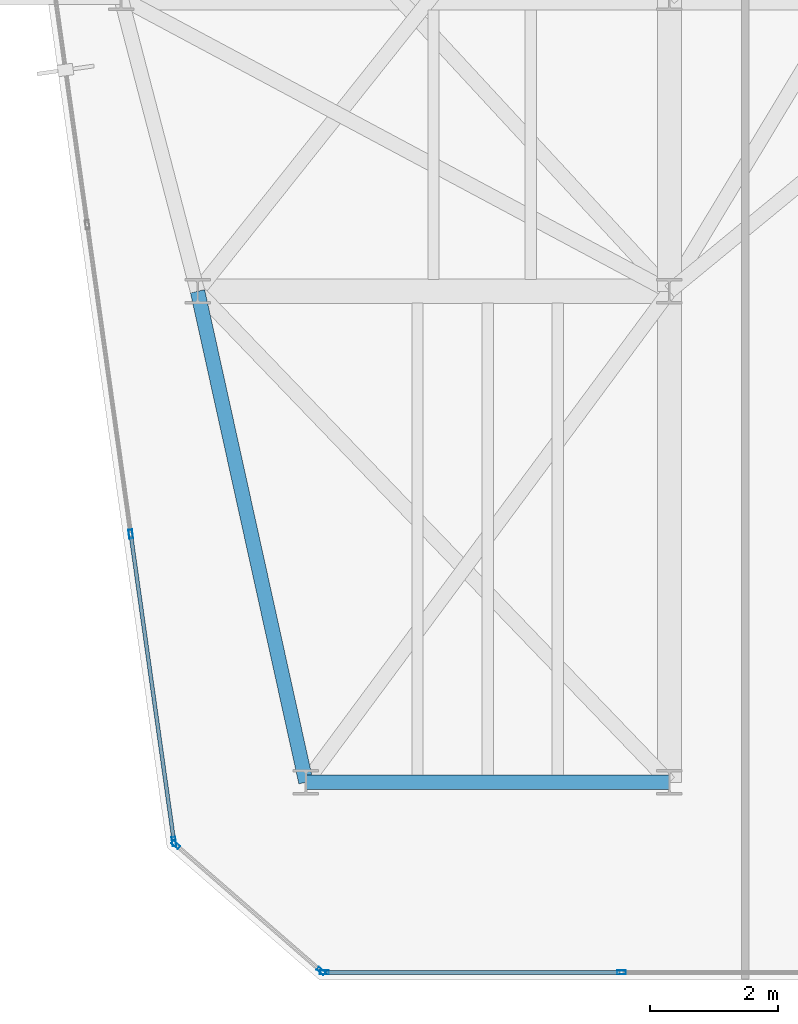
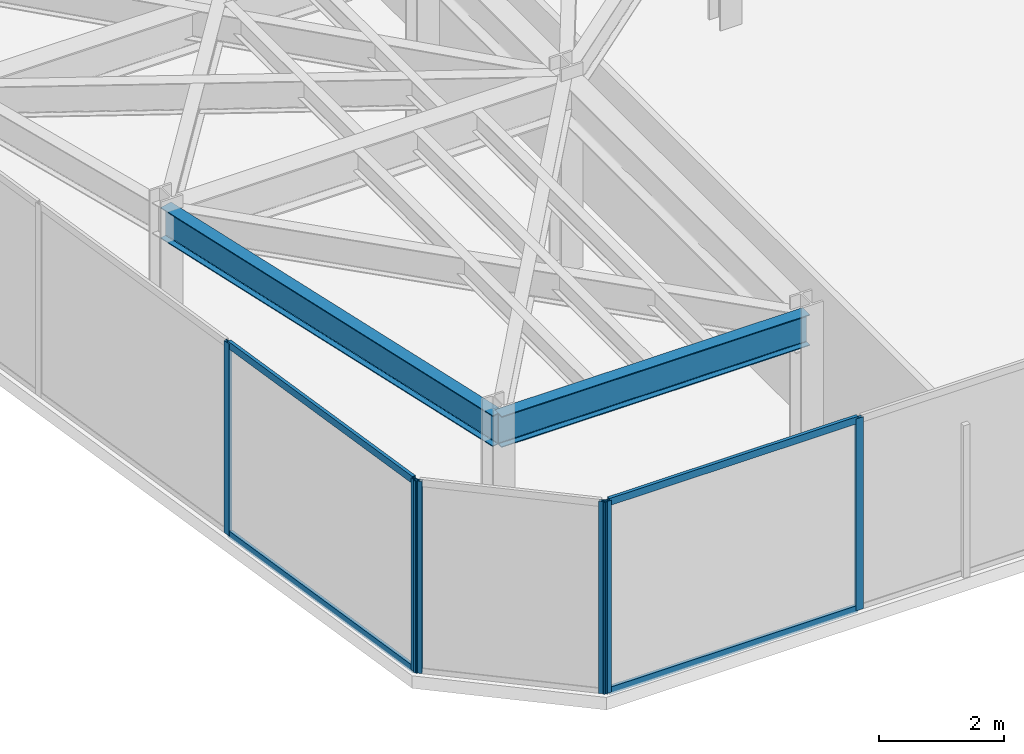
# One storey, part 2 of 27: 10 members, 2 beams, 3 elements without a shape of their own.
"""IFC4 building model written with IfcOpenShell, lengths in metres."""

from ifc_helpers import new_model, si_unit, direction, frame, origin, origin_2d, place, context, subcontext, project, spatial, hollow_rectangle, i_section, extrude, material, layer, layer_set, material_profile, profile_set, type_object, element, aggregate, save


model = new_model("IFC4")

# Units and contexts
model_context = context("Model", 3, precision=1e-05, world=origin(), true_north=direction((0.0, 1.0)))
body_context = subcontext(model_context, "Body", "Model", "MODEL_VIEW")
ifc_project = project(units=[si_unit("LENGTHUNIT", "METRE"), si_unit("AREAUNIT", "SQUARE_METRE"), si_unit("VOLUMEUNIT", "CUBIC_METRE"), si_unit("PLANEANGLEUNIT", "RADIAN"), si_unit("MASSUNIT", "GRAM", prefix="KILO")], contexts=[model_context])

# Site, building, storey
site_placement = place(None, origin())
site = spatial("IfcSite", under=ifc_project, at=site_placement, CompositionType="ELEMENT")
building_placement = place(site_placement, origin())
building = spatial("IfcBuilding", under=site, at=building_placement, Name="Kravanh Interchange Tower", CompositionType="ELEMENT")
storey_placement = place(building_placement, frame((0.0, 0.0, 196.5)))
storey = spatial("IfcBuildingStorey", under=building, at=storey_placement, Name="L47", CompositionType="ELEMENT", Elevation=196.5)

# Curtain wall, members
ifc_material_1 = material(Name="Anodised Bronze Aluminium", Category="aluminium")
ifc_layer = layer(ifc_material_1, 0.179931640625)
ifc_layer_set = layer_set([ifc_layer], Name="Unitised Curtain Wall System CW-Z3 Upper Office")
curtain_wall_type = type_object("IfcCurtainWallType", Name="Unitised Curtain Wall System CW-Z3 Upper Office", PredefinedType="NOTDEFINED", material=ifc_layer_set)
curtain_wall_1_placement = place(storey_placement, origin())
curtain_wall_1 = element("IfcCurtainWall", 1, at=curtain_wall_1_placement, inside=storey, type_object=curtain_wall_type, Name="L47 Unitised Curtain Wall CW-L47-01", PredefinedType="NOTDEFINED")
ifc_material_2 = material(Name="Anodised Bronze Aluminium", Category="aluminium")
ifc_material_profile_1 = material_profile(ifc_material_2, hollow_rectangle(XDim=0.06005859375, YDim=0.139892578125, WallThickness=0.00390625, at=origin_2d()), Name="ALU60X140X4")
ifc_profile_set_1 = profile_set([ifc_material_profile_1], Name="Anodised Bronze Aluminium")
member_type_1 = type_object("IfcMemberType", Name="Curtain Wall Mullion ALU60X140X4 Bronze", PredefinedType="MULLION", material=ifc_profile_set_1)
member_1_placement = place(storey_placement, frame((19.43017578125, 13.5703125, 0.0), z_axis=(0.0, 0.0, 1.0), x_axis=(-0.990268194035, -0.139172209446, 0.0)))
member_1 = element("IfcMember", 2, at=member_1_placement, type_object=member_type_1, Name="CW-Z3 mullion 1", PredefinedType="MULLION", context=body_context, shape_type="SweptSolid", body=[
    extrude(hollow_rectangle(XDim=0.06005859375, YDim=0.139892578125, WallThickness=0.00390625, at=origin_2d()), origin(), (0.0, 0.0, 1.0), 3.7548828125),
])
member_2_placement = place(storey_placement, frame((18.75244140625, 18.392578125, 0.0), z_axis=(0.0, 0.0, 1.0), x_axis=(-0.990268194035, -0.139172209446, 0.0)))
member_2 = element("IfcMember", 3, at=member_2_placement, type_object=member_type_1, Name="CW-Z3 mullion 2", PredefinedType="MULLION", context=body_context, shape_type="SweptSolid", body=[
    extrude(hollow_rectangle(XDim=0.06005859375, YDim=0.139892578125, WallThickness=0.00390625, at=origin_2d()), origin(), (0.0, 0.0, 1.0), 3.7548828125),
])

curtain_wall_2_placement = place(storey_placement, origin())
curtain_wall_2 = element("IfcCurtainWall", 4, at=curtain_wall_2_placement, inside=storey, type_object=curtain_wall_type, Name="L47 Unitised Curtain Wall CW-L47-06", PredefinedType="NOTDEFINED")
member_3_placement = place(storey_placement, frame((26.447998046875, 11.52001953125, 0.0), z_axis=(0.0, 0.0, 1.0), x_axis=(0.0, -1.0, 0.0)))
member_3 = element("IfcMember", 5, at=member_3_placement, type_object=member_type_1, Name="CW-Z3 mullion 2", PredefinedType="MULLION", context=body_context, shape_type="SweptSolid", body=[
    extrude(hollow_rectangle(XDim=0.06005859375, YDim=0.139892578125, WallThickness=0.00390625, at=origin_2d()), origin(), (0.0, 0.0, 1.0), 3.7548828125),
])
member_4_placement = place(storey_placement, frame((21.7890625, 11.52001953125, 0.0), z_axis=(0.0, 0.0, 1.0), x_axis=(0.0, -1.0, 0.0)))
member_4 = element("IfcMember", 6, at=member_4_placement, type_object=member_type_1, Name="CW-Z3 mullion 3", PredefinedType="MULLION", context=body_context, shape_type="SweptSolid", body=[
    extrude(hollow_rectangle(XDim=0.06005859375, YDim=0.139892578125, WallThickness=0.00390625, at=origin_2d()), origin(), (0.0, 0.0, 1.0), 3.7548828125),
])

curtain_wall_3_placement = place(storey_placement, origin())
curtain_wall_3 = element("IfcCurtainWall", 7, at=curtain_wall_3_placement, inside=storey, type_object=curtain_wall_type, Name="L47 Unitised Curtain Wall CW-L47-07", PredefinedType="NOTDEFINED")
member_5_placement = place(storey_placement, frame((21.736328125, 11.539794921875, 0.0), z_axis=(0.0, 0.0, 1.0), x_axis=(-0.65605090137, -0.754716645379, 0.0)))
member_5 = element("IfcMember", 8, at=member_5_placement, type_object=member_type_1, Name="CW-Z3 mullion 1", PredefinedType="MULLION", context=body_context, shape_type="SweptSolid", body=[
    extrude(hollow_rectangle(XDim=0.06005859375, YDim=0.139892578125, WallThickness=0.00390625, at=origin_2d()), origin(), (0.0, 0.0, 1.0), 3.7548828125),
])
member_6_placement = place(storey_placement, frame((19.45703125, 13.52099609375, 0.0), z_axis=(0.0, 0.0, 1.0), x_axis=(-0.65605090137, -0.754716645379, 0.0)))
member_6 = element("IfcMember", 9, at=member_6_placement, type_object=member_type_1, Name="CW-Z3 mullion 2", PredefinedType="MULLION", context=body_context, shape_type="SweptSolid", body=[
    extrude(hollow_rectangle(XDim=0.06005859375, YDim=0.139892578125, WallThickness=0.00390625, at=origin_2d()), origin(), (0.0, 0.0, 1.0), 3.7548828125),
])
aggregate(curtain_wall_3, [member_5, member_6])

# Member
ifc_material_3 = material(Name="Anodised Bronze Aluminium", Category="aluminium")
ifc_material_profile_2 = material_profile(ifc_material_3, hollow_rectangle(XDim=0.06005859375, YDim=0.139892578125, WallThickness=0.00390625, at=origin_2d()), Name="ALU60X140X4")
ifc_profile_set_2 = profile_set([ifc_material_profile_2], Name="Anodised Bronze Aluminium")
member_type_2 = type_object("IfcMemberType", Name="Curtain Wall Transom ALU60X140X4 Bronze", PredefinedType="USERDEFINED", material=ifc_profile_set_2)
member_7_placement = place(storey_placement, frame((19.426025390625, 13.60009765625, 0.030029296875), z_axis=(-0.139189497915, 0.990265764161, 0.0), x_axis=(-0.990265764161, -0.139189497915, 0.0)))
member_7 = element("IfcMember", 10, at=member_7_placement, type_object=member_type_2, Name="CW-Z3 transom 1.1", ObjectType="TRANSOM", PredefinedType="USERDEFINED", context=body_context, shape_type="SweptSolid", body=[
    extrude(hollow_rectangle(XDim=0.06005859375, YDim=0.139892578125, WallThickness=0.00390625, at=origin_2d()), origin(), (0.0, 0.0, 1.0), 4.8095703125),
])

member_8_placement = place(storey_placement, frame((19.426025390625, 13.60009765625, 3.72509765625), z_axis=(-0.139189497915, 0.990265764161, 0.0), x_axis=(-0.990265764161, -0.139189497915, 0.0)))
member_8 = element("IfcMember", 11, at=member_8_placement, type_object=member_type_2, Name="CW-Z3 transom 1.2", ObjectType="TRANSOM", PredefinedType="USERDEFINED", context=body_context, shape_type="SweptSolid", body=[
    extrude(hollow_rectangle(XDim=0.06005859375, YDim=0.139892578125, WallThickness=0.00390625, at=origin_2d()), origin(), (0.0, 0.0, 1.0), 4.8095703125),
])

aggregate(curtain_wall_1, [member_1, member_2, member_7, member_8])

member_9_placement = place(storey_placement, frame((26.41796875, 11.52001953125, 0.030029296875), z_axis=(-1.0, 0.0, 0.0), x_axis=(0.0, -1.0, 0.0)))
member_9 = element("IfcMember", 12, at=member_9_placement, type_object=member_type_2, Name="CW-Z3 transom 2.1", ObjectType="TRANSOM", PredefinedType="USERDEFINED", context=body_context, shape_type="SweptSolid", body=[
    extrude(hollow_rectangle(XDim=0.06005859375, YDim=0.139892578125, WallThickness=0.00390625, at=origin_2d()), origin(), (0.0, 0.0, 1.0), 4.598876953125),
])

member_10_placement = place(storey_placement, frame((26.41796875, 11.52001953125, 3.72509765625), z_axis=(-1.0, 0.0, 0.0), x_axis=(0.0, -1.0, 0.0)))
member_10 = element("IfcMember", 13, at=member_10_placement, type_object=member_type_2, Name="CW-Z3 transom 2.2", ObjectType="TRANSOM", PredefinedType="USERDEFINED", context=body_context, shape_type="SweptSolid", body=[
    extrude(hollow_rectangle(XDim=0.06005859375, YDim=0.139892578125, WallThickness=0.00390625, at=origin_2d()), origin(), (0.0, 0.0, 1.0), 4.598876953125),
])

aggregate(curtain_wall_2, [member_3, member_4, member_9, member_10])

# Beams
ifc_material_4 = material(Name="Structural Steel S355", Category="steel")
ifc_material_profile_3 = material_profile(ifc_material_4, i_section(OverallWidth=0.22802734375, OverallDepth=0.60791015625, WebThickness=0.01123046875, FlangeThickness=0.017333984375, FilletRadius=0.02197265625, at=origin_2d()), Name="W24X76")
ifc_profile_set_3 = profile_set([ifc_material_profile_3], Name="Structural Steel S355")
beam_type = type_object("IfcBeamType", Name="Floor Spandrel W24X76 Structural Steel S355", PredefinedType="SPANDREL", material=ifc_profile_set_3)
beam_1_placement = place(storey_placement, frame((21.5, 14.5, 3.450927734375), z_axis=(1.0, 0.0, 0.0), x_axis=(0.0, 1.0, 0.0)))
element("IfcBeam", 14, at=beam_1_placement, inside=storey, type_object=beam_type, Name="L47 Perimeter Spandrel 30", PredefinedType="SPANDREL", context=body_context, shape_type="SweptSolid", body=[
    extrude(i_section(OverallWidth=0.22802734375, OverallDepth=0.60791015625, WebThickness=0.01123046875, FlangeThickness=0.017333984375, FilletRadius=0.02197265625, at=origin_2d()), origin(), (0.0, 0.0, 1.0), 5.699951171875),
])
beam_2_placement = place(storey_placement, frame((21.5, 14.5, 3.450927734375), z_axis=(-0.215582892261, 0.976485543449, 0.0), x_axis=(-0.976485543449, -0.215582892261, 0.0)))
element("IfcBeam", 15, at=beam_2_placement, inside=storey, type_object=beam_type, Name="L47 Perimeter Spandrel 31", PredefinedType="SPANDREL", context=body_context, shape_type="SweptSolid", body=[
    extrude(i_section(OverallWidth=0.22802734375, OverallDepth=0.60791015625, WebThickness=0.01123046875, FlangeThickness=0.017333984375, FilletRadius=0.02197265625, at=origin_2d()), origin(), (0.0, 0.0, 1.0), 7.88525390625),
])

save(model, "model.ifc")
